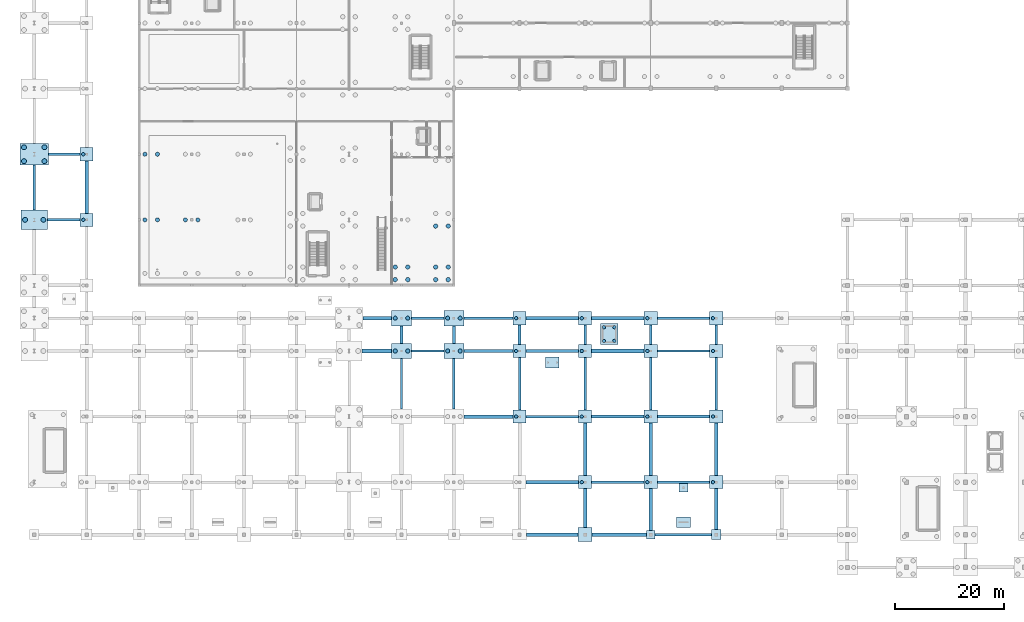
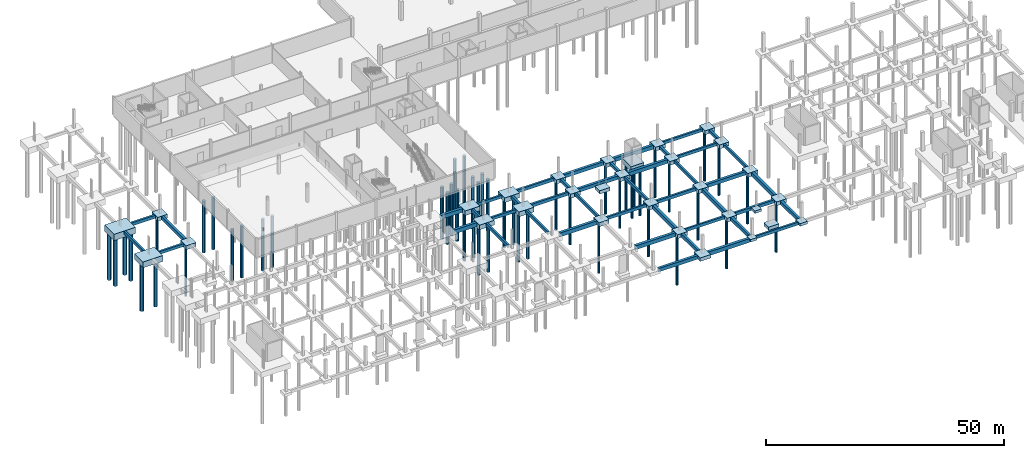
# One storey, part 3 of 31: 74 footings, 51 piles.
"""IFC4 building model written with IfcOpenShell, lengths in metres."""

from ifc_helpers import new_model, si_unit, direction, frame, origin, origin_2d, place, context, subcontext, project, spatial, rectangle, circle, extrude, material, layer, layer_set, material_profile, profile_set, type_object, element, save


model = new_model("IFC4")

# Units and contexts
model_context = context("Model", 3, precision=1e-05, world=origin(), true_north=direction((0.0, 1.0)))
body_context = subcontext(model_context, "Body", "Model", "MODEL_VIEW")
ifc_project = project(units=[si_unit("LENGTHUNIT", "METRE"), si_unit("AREAUNIT", "SQUARE_METRE"), si_unit("VOLUMEUNIT", "CUBIC_METRE"), si_unit("PLANEANGLEUNIT", "RADIAN"), si_unit("MASSUNIT", "GRAM", prefix="KILO")], contexts=[model_context])

# Site, building, storey
site_placement = place(None, origin())
site = spatial("IfcSite", under=ifc_project, at=site_placement, CompositionType="ELEMENT")
building_placement = place(site_placement, origin())
building = spatial("IfcBuilding", under=site, at=building_placement, Name="Merenkruunu Market Hall", CompositionType="ELEMENT")
storey_placement = place(building_placement, frame((0.0, 0.0, -4.800048828125)))
storey = spatial("IfcBuildingStorey", under=building, at=storey_placement, Name="B1", CompositionType="ELEMENT", Elevation=-4.800048828125)

# Footings
ifc_material = material(Name="Concrete C35/45", Category="concrete")
ifc_layer_1 = layer(ifc_material, 1.0)
ifc_layer_set_1 = layer_set([ifc_layer_1], Name="Concrete C35/45")
footing_type_1 = type_object("IfcFootingType", Name="Multi Pile Cap PC01", PredefinedType="PILE_CAP", material=ifc_layer_set_1)
for number, where, z_axis, x_axis, name in (
    (1, (9.60009765625, 63.60009765625, -1.0), (0.0, 0.0, 1.0), (1.0, 0.0, 0.0), "FTG-CAP-B-08"),
    (2, (9.60009765625, 75.60009765625, -1.0), (0.0, 0.0, 1.0), (1.0, 0.0, 0.0), "FTG-CAP-B-09"),
    (3, (88.800048828125, 27.60009765625, -1.0), (0.0, 0.0, 1.0), (1.0, 0.0, 0.0), "FTG-CAP-K-04"),
    (4, (88.800048828125, 39.60009765625, -1.0), (0.0, 0.0, 1.0), (1.0, 0.0, 0.0), "FTG-CAP-K-05"),
    (5, (88.800048828125, 45.60009765625, -1.0), (0.0, 0.0, 1.0), (1.0, 0.0, 0.0), "FTG-CAP-K-06"),
    (6, (100.800048828125, 15.60009765625, -1.0), (0.0, 0.0, 1.0), (1.0, 0.0, 0.0), "FTG-CAP-L-03"),
    (7, (100.800048828125, 27.60009765625, -1.0), (0.0, 0.0, 1.0), (1.0, 0.0, 0.0), "FTG-CAP-L-04"),
    (8, (100.800048828125, 39.60009765625, -1.0), (0.0, 0.0, 1.0), (1.0, 0.0, 0.0), "FTG-CAP-L-05"),
    (9, (100.800048828125, 45.60009765625, -1.0), (0.0, 0.0, 1.0), (1.0, 0.0, 0.0), "FTG-CAP-L-06"),
    (10, (112.800048828125, 15.60009765625, -1.0), (0.0, 0.0, 1.0), (1.0, 0.0, 0.0), "FTG-CAP-M-03"),
    (11, (112.800048828125, 27.60009765625, -1.0), (0.0, 0.0, 1.0), (1.0, 0.0, 0.0), "FTG-CAP-M-04"),
    (12, (112.800048828125, 39.60009765625, -1.0), (0.0, 0.0, 1.0), (1.0, 0.0, 0.0), "FTG-CAP-M-05"),
    (13, (112.800048828125, 45.60009765625, -1.0), (0.0, 0.0, 1.0), (1.0, 0.0, 0.0), "FTG-CAP-M-06"),
    (14, (124.800048828125, 15.60009765625, -1.0), (0.0, 0.0, 1.0), (1.0, 0.0, 0.0), "FTG-CAP-N-03"),
    (15, (124.800048828125, 27.60009765625, -1.0), (0.0, 0.0, 1.0), (1.0, 0.0, 0.0), "FTG-CAP-N-04"),
    (16, (124.800048828125, 39.60009765625, -1.0), (0.0, 0.0, 1.0), (1.0, 0.0, 0.0), "FTG-CAP-N-05"),
    (17, (124.800048828125, 45.60009765625, -1.0), (0.0, 0.0, 1.0), (1.0, 0.0, 0.0), "FTG-CAP-N-06"),
):
    element("IfcFooting", number, at=place(storey_placement, frame(where, z_axis=z_axis, x_axis=x_axis)), inside=storey, type_object=footing_type_1, Name=name, PredefinedType="PILE_CAP", context=body_context, shape_type="SweptSolid", body=[
        extrude(rectangle(XDim=2.39990234375, YDim=2.39990234375, at=origin_2d()), origin(), (0.0, 0.0, 1.0), 1.0),
    ])
ifc_layer_2 = layer(ifc_material, 1.199951171875)
ifc_layer_set_2 = layer_set([ifc_layer_2], Name="Concrete C35/45")
footing_type_2 = type_object("IfcFootingType", Name="Multi Pile Cap PC04", PredefinedType="PILE_CAP", material=ifc_layer_set_2)
for number, where, z_axis, x_axis, name in (
    (18, (67.199951171875, 39.60009765625, -1.19970703125), (0.0, 0.0, 1.0), (1.0, 0.0, 0.0), "FTG-CAP-H-05"),
    (19, (67.199951171875, 45.60009765625, -1.19970703125), (0.0, 0.0, 1.0), (1.0, 0.0, 0.0), "FTG-CAP-H-06"),
    (20, (76.800048828125, 39.60009765625, -1.19970703125), (0.0, 0.0, 1.0), (1.0, 0.0, 0.0), "FTG-CAP-J-05"),
    (21, (76.800048828125, 45.60009765625, -1.19970703125), (0.0, 0.0, 1.0), (1.0, 0.0, 0.0), "FTG-CAP-J-06"),
):
    element("IfcFooting", number, at=place(storey_placement, frame(where, z_axis=z_axis, x_axis=x_axis)), inside=storey, type_object=footing_type_2, Name=name, PredefinedType="PILE_CAP", context=body_context, shape_type="SweptSolid", body=[
        extrude(rectangle(XDim=3.60009765625, YDim=2.800048828125, at=origin_2d()), origin(), (0.0, 0.0, 1.0), 1.199951171875),
    ])
ifc_layer_3 = layer(ifc_material, 1.5)
ifc_layer_set_3 = layer_set([ifc_layer_3], Name="Concrete C35/45")
footing_type_3 = type_object("IfcFootingType", Name="Multi Pile Cap PC07", PredefinedType="PILE_CAP", material=ifc_layer_set_3)
footing_1_placement = place(storey_placement, frame((0.0, 63.60009765625, -1.5), z_axis=(0.0, 0.0, 1.0), x_axis=(1.0, 0.0, 0.0)))
element("IfcFooting", 22, at=footing_1_placement, inside=storey, type_object=footing_type_3, Name="FTG-CAP-A-08", PredefinedType="PILE_CAP", context=body_context, shape_type="SweptSolid", body=[
    extrude(rectangle(XDim=4.800048828125, YDim=3.60009765625, at=origin_2d()), origin(), (0.0, 0.0, 1.0), 1.5),
])
ifc_layer_4 = layer(ifc_material, 1.60009765625)
ifc_layer_set_4 = layer_set([ifc_layer_4], Name="Concrete C35/45")
footing_type_4 = type_object("IfcFootingType", Name="Multi Pile Cap PC08", PredefinedType="PILE_CAP", material=ifc_layer_set_4)
footing_2_placement = place(storey_placement, frame((0.0, 75.60009765625, -1.60009765625), z_axis=(0.0, 0.0, 1.0), x_axis=(1.0, 0.0, 0.0)))
element("IfcFooting", 23, at=footing_2_placement, inside=storey, type_object=footing_type_4, Name="FTG-CAP-A-09", PredefinedType="PILE_CAP", context=body_context, shape_type="SweptSolid", body=[
    extrude(rectangle(XDim=5.199951171875, YDim=4.0, at=origin_2d()), origin(), (0.0, 0.0, 1.0), 1.60009765625),
])
ifc_layer_5 = layer(ifc_material, 1.25)
ifc_layer_set_5 = layer_set([ifc_layer_5], Name="Concrete C35/45")
footing_type_5 = type_object("IfcFootingType", Name="Multi Pile Cap PC11", PredefinedType="PILE_CAP", material=ifc_layer_set_5)
footing_3_placement = place(storey_placement, frame((105.199951171875, 42.699951171875, -1.25), z_axis=(0.0, 0.0, 1.0), x_axis=(1.0, 0.0, 0.0)))
element("IfcFooting", 24, at=footing_3_placement, inside=storey, type_object=footing_type_5, Name="FTG-LIFTCAP-LP3", PredefinedType="PILE_CAP", context=body_context, shape_type="SweptSolid", body=[
    extrude(rectangle(XDim=3.199951171875, YDim=3.800048828125, at=origin_2d()), origin(), (0.0, 0.0, 1.0), 1.25),
])

# Piles
ifc_material_profile_1 = material_profile(ifc_material, circle(Radius=0.300048828125, at=origin_2d()), Name="BORED PILE 600")
ifc_profile_set_1 = profile_set([ifc_material_profile_1], Name="Concrete C35/45")
pile_type_1 = type_object("IfcPileType", Name="Rock Socketed Bored Pile P01", PredefinedType="BORED", material=ifc_profile_set_1)
for number, where, z_axis, x_axis, name in (
    (25, (104.25, 41.449951171875, -1.14990234375), (0.0, 0.0, -1.0), (1.0, 0.0, 0.0), "PILE-P01-0188"),
    (26, (106.14990234375, 41.449951171875, -1.14990234375), (0.0, 0.0, -1.0), (1.0, 0.0, 0.0), "PILE-P01-0189"),
    (27, (104.25, 43.949951171875, -1.14990234375), (0.0, 0.0, -1.0), (1.0, 0.0, 0.0), "PILE-P01-0190"),
    (28, (106.14990234375, 43.949951171875, -1.14990234375), (0.0, 0.0, -1.0), (1.0, 0.0, 0.0), "PILE-P01-0191"),
):
    element("IfcPile", number, at=place(storey_placement, frame(where, z_axis=z_axis, x_axis=x_axis)), inside=storey, type_object=pile_type_1, Name=name, PredefinedType="BORED", context=body_context, shape_type="SweptSolid", body=[
        extrude(circle(Radius=0.300048828125, at=origin_2d()), origin(), (0.0, 0.0, 1.0), 12.550048828125),
    ])
for number, where, z_axis, x_axis, name in (
    (29, (8.97998046875, 63.60009765625, -0.89990234375), (0.0, 0.0, -1.0), (1.0, 0.0, 0.0), "PILE-P01-0225"),
    (30, (8.97998046875, 75.60009765625, -0.89990234375), (0.0, 0.0, -1.0), (1.0, 0.0, 0.0), "PILE-P01-0226"),
    (31, (88.179931640625, 27.60009765625, -0.89990234375), (0.0, 0.0, -1.0), (1.0, 0.0, 0.0), "PILE-P01-0277"),
    (32, (88.179931640625, 39.60009765625, -0.89990234375), (0.0, 0.0, -1.0), (1.0, 0.0, 0.0), "PILE-P01-0278"),
    (33, (88.179931640625, 45.60009765625, -0.89990234375), (0.0, 0.0, -1.0), (1.0, 0.0, 0.0), "PILE-P01-0279"),
    (34, (100.179931640625, 15.60009765625, -0.89990234375), (0.0, 0.0, -1.0), (1.0, 0.0, 0.0), "PILE-P01-0280"),
    (35, (100.179931640625, 27.60009765625, -0.89990234375), (0.0, 0.0, -1.0), (1.0, 0.0, 0.0), "PILE-P01-0281"),
    (36, (100.179931640625, 39.60009765625, -0.89990234375), (0.0, 0.0, -1.0), (1.0, 0.0, 0.0), "PILE-P01-0282"),
    (37, (100.179931640625, 45.60009765625, -0.89990234375), (0.0, 0.0, -1.0), (1.0, 0.0, 0.0), "PILE-P01-0283"),
    (38, (112.179931640625, 15.60009765625, -0.89990234375), (0.0, 0.0, -1.0), (1.0, 0.0, 0.0), "PILE-P01-0284"),
    (39, (112.179931640625, 27.60009765625, -0.89990234375), (0.0, 0.0, -1.0), (1.0, 0.0, 0.0), "PILE-P01-0285"),
    (40, (112.179931640625, 39.60009765625, -0.89990234375), (0.0, 0.0, -1.0), (1.0, 0.0, 0.0), "PILE-P01-0286"),
    (41, (112.179931640625, 45.60009765625, -0.89990234375), (0.0, 0.0, -1.0), (1.0, 0.0, 0.0), "PILE-P01-0287"),
    (42, (124.179931640625, 15.60009765625, -0.89990234375), (0.0, 0.0, -1.0), (1.0, 0.0, 0.0), "PILE-P01-0288"),
    (43, (124.179931640625, 27.60009765625, -0.89990234375), (0.0, 0.0, -1.0), (1.0, 0.0, 0.0), "PILE-P01-0289"),
    (44, (124.179931640625, 39.60009765625, -0.89990234375), (0.0, 0.0, -1.0), (1.0, 0.0, 0.0), "PILE-P01-0290"),
    (45, (124.179931640625, 45.60009765625, -0.89990234375), (0.0, 0.0, -1.0), (1.0, 0.0, 0.0), "PILE-P01-0291"),
):
    element("IfcPile", number, at=place(storey_placement, frame(where, z_axis=z_axis, x_axis=x_axis)), inside=storey, type_object=pile_type_1, Name=name, PredefinedType="BORED", context=body_context, shape_type="SweptSolid", body=[
        extrude(circle(Radius=0.300048828125, at=origin_2d()), origin(), (0.0, 0.0, 1.0), 12.800048828125),
    ])
ifc_material_profile_2 = material_profile(ifc_material, circle(Radius=0.375, at=origin_2d()), Name="BORED PILE 750")
ifc_profile_set_2 = profile_set([ifc_material_profile_2], Name="Concrete C35/45")
pile_type_2 = type_object("IfcPileType", Name="Rock Socketed Bored Pile P02", PredefinedType="BORED", material=ifc_profile_set_2)
for number, where, z_axis, x_axis, name in (
    (46, (20.25, 63.60009765625, -0.5), (0.0, 0.0, -1.0), (1.0, 0.0, 0.0), "PILE-P02-0003"),
    (47, (22.550048828125, 63.60009765625, -0.5), (0.0, 0.0, -1.0), (1.0, 0.0, 0.0), "PILE-P02-0004"),
    (48, (20.25, 75.60009765625, -0.5), (0.0, 0.0, -1.0), (1.0, 0.0, 0.0), "PILE-P02-0005"),
    (49, (22.550048828125, 75.60009765625, -0.5), (0.0, 0.0, -1.0), (1.0, 0.0, 0.0), "PILE-P02-0006"),
    (50, (27.64990234375, 63.60009765625, -0.5), (0.0, 0.0, -1.0), (1.0, 0.0, 0.0), "PILE-P02-0017"),
    (51, (29.949951171875, 63.60009765625, -0.5), (0.0, 0.0, -1.0), (1.0, 0.0, 0.0), "PILE-P02-0018"),
):
    element("IfcPile", number, at=place(storey_placement, frame(where, z_axis=z_axis, x_axis=x_axis)), inside=storey, type_object=pile_type_2, Name=name, PredefinedType="BORED", context=body_context, shape_type="SweptSolid", body=[
        extrude(circle(Radius=0.375, at=origin_2d()), origin(), (0.0, 0.0, 1.0), 13.199951171875),
    ])
for number, where, z_axis, x_axis, name in (
    (52, (66.054931640625, 39.60009765625, -1.099853515625), (0.0, 0.0, -1.0), (1.0, 0.0, 0.0), "PILE-P02-0264"),
    (53, (68.344970703125, 39.60009765625, -1.099853515625), (0.0, 0.0, -1.0), (1.0, 0.0, 0.0), "PILE-P02-0265"),
    (54, (66.054931640625, 45.60009765625, -1.099853515625), (0.0, 0.0, -1.0), (1.0, 0.0, 0.0), "PILE-P02-0266"),
    (55, (68.344970703125, 45.60009765625, -1.099853515625), (0.0, 0.0, -1.0), (1.0, 0.0, 0.0), "PILE-P02-0267"),
    (56, (75.655029296875, 39.60009765625, -1.099853515625), (0.0, 0.0, -1.0), (1.0, 0.0, 0.0), "PILE-P02-0272"),
    (57, (77.945068359375, 39.60009765625, -1.099853515625), (0.0, 0.0, -1.0), (1.0, 0.0, 0.0), "PILE-P02-0273"),
    (58, (75.655029296875, 45.60009765625, -1.099853515625), (0.0, 0.0, -1.0), (1.0, 0.0, 0.0), "PILE-P02-0274"),
    (59, (77.945068359375, 45.60009765625, -1.099853515625), (0.0, 0.0, -1.0), (1.0, 0.0, 0.0), "PILE-P02-0275"),
):
    element("IfcPile", number, at=place(storey_placement, frame(where, z_axis=z_axis, x_axis=x_axis)), inside=storey, type_object=pile_type_2, Name=name, PredefinedType="BORED", context=body_context, shape_type="SweptSolid", body=[
        extrude(circle(Radius=0.375, at=origin_2d()), origin(), (0.0, 0.0, 1.0), 12.60009765625),
    ])
ifc_material_profile_3 = material_profile(ifc_material, circle(Radius=0.39990234375, at=origin_2d()), Name="BORED PILE 800")
ifc_profile_set_3 = profile_set([ifc_material_profile_3], Name="Concrete C35/45")
pile_type_3 = type_object("IfcPileType", Name="Rock Socketed Bored Pile P03", PredefinedType="BORED", material=ifc_profile_set_3)
for number, where, z_axis, x_axis, name in (
    (60, (66.050048828125, 52.64990234375, -0.5), (0.0, 0.0, -1.0), (1.0, 0.0, 0.0), "PILE-P03-0089"),
    (61, (68.35009765625, 52.64990234375, -0.5), (0.0, 0.0, -1.0), (1.0, 0.0, 0.0), "PILE-P03-0090"),
    (62, (66.050048828125, 54.949951171875, -0.5), (0.0, 0.0, -1.0), (1.0, 0.0, 0.0), "PILE-P03-0091"),
    (63, (68.35009765625, 54.949951171875, -0.5), (0.0, 0.0, -1.0), (1.0, 0.0, 0.0), "PILE-P03-0092"),
    (64, (73.449951171875, 52.64990234375, -0.5), (0.0, 0.0, -1.0), (1.0, 0.0, 0.0), "PILE-P03-0103"),
    (65, (75.75, 52.64990234375, -0.5), (0.0, 0.0, -1.0), (1.0, 0.0, 0.0), "PILE-P03-0104"),
    (66, (73.449951171875, 54.949951171875, -0.5), (0.0, 0.0, -1.0), (1.0, 0.0, 0.0), "PILE-P03-0105"),
    (67, (75.75, 54.949951171875, -0.5), (0.0, 0.0, -1.0), (1.0, 0.0, 0.0), "PILE-P03-0106"),
    (68, (73.449951171875, 62.449951171875, -0.5), (0.0, 0.0, -1.0), (1.0, 0.0, 0.0), "PILE-P03-0107"),
    (69, (75.75, 62.449951171875, -0.5), (0.0, 0.0, -1.0), (1.0, 0.0, 0.0), "PILE-P03-0108"),
):
    element("IfcPile", number, at=place(storey_placement, frame(where, z_axis=z_axis, x_axis=x_axis)), inside=storey, type_object=pile_type_3, Name=name, PredefinedType="BORED", context=body_context, shape_type="SweptSolid", body=[
        extrude(circle(Radius=0.39990234375, at=origin_2d()), origin(), (0.0, 0.0, 1.0), 13.199951171875),
    ])
ifc_material_profile_4 = material_profile(ifc_material, circle(Radius=0.449951171875, at=origin_2d()), Name="BORED PILE 900")
ifc_profile_set_4 = profile_set([ifc_material_profile_4], Name="Concrete C35/45")
pile_type_4 = type_object("IfcPileType", Name="Rock Socketed Bored Pile P04", PredefinedType="BORED", material=ifc_profile_set_4)
for number, where, z_axis, x_axis, name in (
    (70, (-1.669921875, 63.60009765625, -1.39990234375), (0.0, 0.0, -1.0), (1.0, 0.0, 0.0), "PILE-P04-0206"),
    (71, (1.669921875, 63.60009765625, -1.39990234375), (0.0, 0.0, -1.0), (1.0, 0.0, 0.0), "PILE-P04-0207"),
):
    element("IfcPile", number, at=place(storey_placement, frame(where, z_axis=z_axis, x_axis=x_axis)), inside=storey, type_object=pile_type_4, Name=name, PredefinedType="BORED", context=body_context, shape_type="SweptSolid", body=[
        extrude(circle(Radius=0.449951171875, at=origin_2d()), origin(), (0.0, 0.0, 1.0), 12.300048828125),
    ])
for number, where, z_axis, x_axis, name in (
    (72, (-1.8701171875, 74.330078125, -1.5), (0.0, 0.0, -1.0), (1.0, 0.0, 0.0), "PILE-P04-0208"),
    (73, (1.8701171875, 74.330078125, -1.5), (0.0, 0.0, -1.0), (1.0, 0.0, 0.0), "PILE-P04-0209"),
    (74, (-1.8701171875, 76.8701171875, -1.5), (0.0, 0.0, -1.0), (1.0, 0.0, 0.0), "PILE-P04-0210"),
    (75, (1.8701171875, 76.8701171875, -1.5), (0.0, 0.0, -1.0), (1.0, 0.0, 0.0), "PILE-P04-0211"),
):
    element("IfcPile", number, at=place(storey_placement, frame(where, z_axis=z_axis, x_axis=x_axis)), inside=storey, type_object=pile_type_4, Name=name, PredefinedType="BORED", context=body_context, shape_type="SweptSolid", body=[
        extrude(circle(Radius=0.449951171875, at=origin_2d()), origin(), (0.0, 0.0, 1.0), 12.199951171875),
    ])

# Footings
ifc_layer_6 = layer(ifc_material, 0.699951171875)
ifc_layer_set_6 = layer_set([ifc_layer_6], Name="Concrete C35/45")
footing_type_6 = type_object("IfcFootingType", Name="Spread Pad Footing PF01", PredefinedType="PAD_FOOTING", material=ifc_layer_set_6)
footing_4_placement = place(storey_placement, frame((124.800048828125, 6.0, -0.69970703125), z_axis=(0.0, 0.0, 1.0), x_axis=(1.0, 0.0, 0.0)))
element("IfcFooting", 76, at=footing_4_placement, inside=storey, type_object=footing_type_6, Name="FTG-PAD-N-02", PredefinedType="PAD_FOOTING", context=body_context, shape_type="SweptSolid", body=[
    extrude(rectangle(XDim=1.800048828125, YDim=1.800048828125, at=origin_2d()), origin(), (0.0, 0.0, 1.0), 0.699951171875),
])
ifc_layer_7 = layer(ifc_material, 0.85009765625)
ifc_layer_set_7 = layer_set([ifc_layer_7], Name="Concrete C35/45")
footing_type_7 = type_object("IfcFootingType", Name="Spread Pad Footing PF04", PredefinedType="PAD_FOOTING", material=ifc_layer_set_7)
for number, where, z_axis, x_axis, name in (
    (77, (94.800048828125, 37.5, -0.85009765625), (0.0, 0.0, 1.0), (1.0, 0.0, 0.0), "FTG-FSTPAD-4"),
    (78, (118.800048828125, 8.27001953125, -0.85009765625), (0.0, 0.0, 1.0), (1.0, 0.0, 0.0), "FTG-RMPPAD-06"),
):
    element("IfcFooting", number, at=place(storey_placement, frame(where, z_axis=z_axis, x_axis=x_axis)), inside=storey, type_object=footing_type_7, Name=name, PredefinedType="PAD_FOOTING", context=body_context, shape_type="SweptSolid", body=[
        extrude(rectangle(XDim=2.5, YDim=2.0, at=origin_2d()), origin(), (0.0, 0.0, 1.0), 0.85009765625),
    ])
ifc_layer_8 = layer(ifc_material, 0.89990234375)
ifc_layer_set_8 = layer_set([ifc_layer_8], Name="Concrete C35/45")
footing_type_8 = type_object("IfcFootingType", Name="Spread Pad Footing PF05", PredefinedType="PAD_FOOTING", material=ifc_layer_set_8)
footing_5_placement = place(storey_placement, frame((100.800048828125, 6.0, -0.89990234375), z_axis=(0.0, 0.0, 1.0), x_axis=(1.0, 0.0, 0.0)))
element("IfcFooting", 79, at=footing_5_placement, inside=storey, type_object=footing_type_8, Name="FTG-PAD-L-02", PredefinedType="PAD_FOOTING", context=body_context, shape_type="SweptSolid", body=[
    extrude(rectangle(XDim=2.60009765625, YDim=2.60009765625, at=origin_2d()), origin(), (0.0, 0.0, 1.0), 0.89990234375),
])
ifc_layer_9 = layer(ifc_material, 0.64990234375)
ifc_layer_set_9 = layer_set([ifc_layer_9], Name="Concrete C35/45")
footing_type_9 = type_object("IfcFootingType", Name="Spread Pad Footing PF06", PredefinedType="PAD_FOOTING", material=ifc_layer_set_9)
for number, where, z_axis, x_axis, name in (
    (80, (112.800048828125, 6.0, -0.64990234375), (0.0, 0.0, 1.0), (1.0, 0.0, 0.0), "FTG-PAD-M-02"),
    (81, (118.800048828125, 14.60009765625, -0.64990234375), (0.0, 0.0, 1.0), (1.0, 0.0, 0.0), "FTG-APRONPAD-03"),
):
    element("IfcFooting", number, at=place(storey_placement, frame(where, z_axis=z_axis, x_axis=x_axis)), inside=storey, type_object=footing_type_9, Name=name, PredefinedType="PAD_FOOTING", context=body_context, shape_type="SweptSolid", body=[
        extrude(rectangle(XDim=1.60009765625, YDim=1.60009765625, at=origin_2d()), origin(), (0.0, 0.0, 1.0), 0.64990234375),
    ])
ifc_layer_10 = layer(ifc_material, 0.800048828125)
ifc_layer_set_10 = layer_set([ifc_layer_10], Name="Concrete C35/45")
footing_type_10 = type_object("IfcFootingType", Name="Tie Ground Beam GB01", PredefinedType="FOOTING_BEAM", material=ifc_layer_set_10)
for number, where, z_axis, x_axis, name in (
    (82, (118.800048828125, 15.60009765625, -0.7998046875), (0.0, 0.0, 1.0), (1.0, 0.0, 0.0), "FTG-GB-EW-029"),
    (83, (106.800048828125, 27.60009765625, -0.7998046875), (0.0, 0.0, 1.0), (1.0, 0.0, 0.0), "FTG-GB-EW-041"),
):
    element("IfcFooting", number, at=place(storey_placement, frame(where, z_axis=z_axis, x_axis=x_axis)), inside=storey, type_object=footing_type_10, Name=name, PredefinedType="FOOTING_BEAM", context=body_context, shape_type="SweptSolid", body=[
        extrude(rectangle(XDim=9.60009765625, YDim=0.5, at=origin_2d()), origin(), (0.0, 0.0, 1.0), 0.800048828125),
    ])
for number, where, z_axis, x_axis, name in (
    (84, (83.10009765625, 39.60009765625, -0.7998046875), (0.0, 0.0, 1.0), (1.0, 0.0, 0.0), "FTG-GB-EW-053"),
    (85, (83.10009765625, 45.60009765625, -0.7998046875), (0.0, 0.0, 1.0), (1.0, 0.0, 0.0), "FTG-GB-EW-069"),
):
    element("IfcFooting", number, at=place(storey_placement, frame(where, z_axis=z_axis, x_axis=x_axis)), inside=storey, type_object=footing_type_10, Name=name, PredefinedType="FOOTING_BEAM", context=body_context, shape_type="SweptSolid", body=[
        extrude(rectangle(XDim=9.0, YDim=0.5, at=origin_2d()), origin(), (0.0, 0.0, 1.0), 0.800048828125),
    ])
footing_6_placement = place(storey_placement, frame((5.5, 75.60009765625, -0.7998046875), z_axis=(0.0, 0.0, 1.0), x_axis=(1.0, 0.0, 0.0)))
element("IfcFooting", 86, at=footing_6_placement, inside=storey, type_object=footing_type_10, Name="FTG-GB-EW-089", PredefinedType="FOOTING_BEAM", context=body_context, shape_type="SweptSolid", body=[
    extrude(rectangle(XDim=5.800048828125, YDim=0.5, at=origin_2d()), origin(), (0.0, 0.0, 1.0), 0.800048828125),
])
for number, where, z_axis, x_axis, name in (
    (87, (67.199951171875, 42.60009765625, -0.7998046875), (0.0, 0.0, 1.0), (0.0, 1.0, 0.0), "FTG-GB-NS-133"),
    (88, (76.800048828125, 42.60009765625, -0.7998046875), (0.0, 0.0, 1.0), (0.0, 1.0, 0.0), "FTG-GB-NS-137"),
):
    element("IfcFooting", number, at=place(storey_placement, frame(where, z_axis=z_axis, x_axis=x_axis)), inside=storey, type_object=footing_type_10, Name=name, PredefinedType="FOOTING_BEAM", context=body_context, shape_type="SweptSolid", body=[
        extrude(rectangle(XDim=3.199951171875, YDim=0.5, at=origin_2d()), origin(), (0.0, 0.0, 1.0), 0.800048828125),
    ])
for number, where, z_axis, x_axis, name in (
    (89, (88.800048828125, 42.60009765625, -0.7998046875), (0.0, 0.0, 1.0), (0.0, 1.0, 0.0), "FTG-GB-NS-141"),
    (90, (100.800048828125, 42.60009765625, -0.7998046875), (0.0, 0.0, 1.0), (0.0, 1.0, 0.0), "FTG-GB-NS-145"),
    (91, (112.800048828125, 42.60009765625, -0.7998046875), (0.0, 0.0, 1.0), (0.0, 1.0, 0.0), "FTG-GB-NS-149"),
    (92, (124.800048828125, 42.60009765625, -0.7998046875), (0.0, 0.0, 1.0), (0.0, 1.0, 0.0), "FTG-GB-NS-153"),
):
    element("IfcFooting", number, at=place(storey_placement, frame(where, z_axis=z_axis, x_axis=x_axis)), inside=storey, type_object=footing_type_10, Name=name, PredefinedType="FOOTING_BEAM", context=body_context, shape_type="SweptSolid", body=[
        extrude(rectangle(XDim=3.60009765625, YDim=0.5, at=origin_2d()), origin(), (0.0, 0.0, 1.0), 0.800048828125),
    ])
ifc_layer_11 = layer(ifc_material, 0.89990234375)
ifc_layer_set_11 = layer_set([ifc_layer_11], Name="Concrete C35/45")
footing_type_11 = type_object("IfcFootingType", Name="Tie Ground Beam GB02", PredefinedType="FOOTING_BEAM", material=ifc_layer_set_11)
footing_7_placement = place(storey_placement, frame((94.77490234375, 6.0, -0.89990234375), z_axis=(0.0, 0.0, 1.0), x_axis=(1.0, 0.0, 0.0)))
element("IfcFooting", 93, at=footing_7_placement, inside=storey, type_object=footing_type_11, Name="FTG-GB-EW-014", PredefinedType="FOOTING_BEAM", context=body_context, shape_type="SweptSolid", body=[
    extrude(rectangle(XDim=9.449951171875, YDim=0.60009765625, at=origin_2d()), origin(), (0.0, 0.0, 1.0), 0.89990234375),
])
for number, where, z_axis, x_axis, name in (
    (94, (118.800048828125, 27.60009765625, -0.89990234375), (0.0, 0.0, 1.0), (1.0, 0.0, 0.0), "FTG-GB-EW-042"),
    (95, (94.800048828125, 39.60009765625, -0.89990234375), (0.0, 0.0, 1.0), (1.0, 0.0, 0.0), "FTG-GB-EW-054"),
    (96, (94.800048828125, 45.60009765625, -0.89990234375), (0.0, 0.0, 1.0), (1.0, 0.0, 0.0), "FTG-GB-EW-070"),
    (97, (9.60009765625, 69.60009765625, -0.89990234375), (0.0, 0.0, 1.0), (0.0, 1.0, 0.0), "FTG-GB-NS-106"),
):
    element("IfcFooting", number, at=place(storey_placement, frame(where, z_axis=z_axis, x_axis=x_axis)), inside=storey, type_object=footing_type_11, Name=name, PredefinedType="FOOTING_BEAM", context=body_context, shape_type="SweptSolid", body=[
        extrude(rectangle(XDim=9.60009765625, YDim=0.60009765625, at=origin_2d()), origin(), (0.0, 0.0, 1.0), 0.89990234375),
    ])
footing_8_placement = place(storey_placement, frame((100.800048828125, 10.85009765625, -0.89990234375), z_axis=(0.0, 0.0, 1.0), x_axis=(0.0, 1.0, 0.0)))
element("IfcFooting", 98, at=footing_8_placement, inside=storey, type_object=footing_type_11, Name="FTG-GB-NS-142", PredefinedType="FOOTING_BEAM", context=body_context, shape_type="SweptSolid", body=[
    extrude(rectangle(XDim=7.10009765625, YDim=0.60009765625, at=origin_2d()), origin(), (0.0, 0.0, 1.0), 0.89990234375),
])
footing_9_placement = place(storey_placement, frame((112.800048828125, 10.60009765625, -0.89990234375), z_axis=(0.0, 0.0, 1.0), x_axis=(0.0, 1.0, 0.0)))
element("IfcFooting", 99, at=footing_9_placement, inside=storey, type_object=footing_type_11, Name="FTG-GB-NS-146", PredefinedType="FOOTING_BEAM", context=body_context, shape_type="SweptSolid", body=[
    extrude(rectangle(XDim=7.60009765625, YDim=0.60009765625, at=origin_2d()), origin(), (0.0, 0.0, 1.0), 0.89990234375),
])
footing_10_placement = place(storey_placement, frame((124.800048828125, 10.64990234375, -0.89990234375), z_axis=(0.0, 0.0, 1.0), x_axis=(0.0, 1.0, 0.0)))
element("IfcFooting", 100, at=footing_10_placement, inside=storey, type_object=footing_type_11, Name="FTG-GB-NS-150", PredefinedType="FOOTING_BEAM", context=body_context, shape_type="SweptSolid", body=[
    extrude(rectangle(XDim=7.5, YDim=0.60009765625, at=origin_2d()), origin(), (0.0, 0.0, 1.0), 0.89990234375),
])
ifc_layer_12 = layer(ifc_material, 1.0)
ifc_layer_set_12 = layer_set([ifc_layer_12], Name="Concrete C35/45")
footing_type_12 = type_object("IfcFootingType", Name="Tie Ground Beam GB03", PredefinedType="FOOTING_BEAM", material=ifc_layer_set_12)
footing_11_placement = place(storey_placement, frame((107.050048828125, 6.0, -1.0), z_axis=(0.0, 0.0, 1.0), x_axis=(1.0, 0.0, 0.0)))
element("IfcFooting", 101, at=footing_11_placement, inside=storey, type_object=footing_type_12, Name="FTG-GB-EW-015", PredefinedType="FOOTING_BEAM", context=body_context, shape_type="SweptSolid", body=[
    extrude(rectangle(XDim=9.89990234375, YDim=0.64990234375, at=origin_2d()), origin(), (0.0, 0.0, 1.0), 1.0),
])
footing_12_placement = place(storey_placement, frame((94.800048828125, 15.60009765625, -1.0), z_axis=(0.0, 0.0, 1.0), x_axis=(1.0, 0.0, 0.0)))
element("IfcFooting", 102, at=footing_12_placement, inside=storey, type_object=footing_type_12, Name="FTG-GB-EW-027", PredefinedType="FOOTING_BEAM", context=body_context, shape_type="SweptSolid", body=[
    extrude(rectangle(XDim=9.60009765625, YDim=0.64990234375, at=origin_2d()), origin(), (0.0, 0.0, 1.0), 1.0),
])
footing_13_placement = place(storey_placement, frame((83.10009765625, 27.60009765625, -1.0), z_axis=(0.0, 0.0, 1.0), x_axis=(1.0, 0.0, 0.0)))
element("IfcFooting", 103, at=footing_13_placement, inside=storey, type_object=footing_type_12, Name="FTG-GB-EW-039", PredefinedType="FOOTING_BEAM", context=body_context, shape_type="SweptSolid", body=[
    extrude(rectangle(XDim=9.0, YDim=0.64990234375, at=origin_2d()), origin(), (0.0, 0.0, 1.0), 1.0),
])
footing_14_placement = place(storey_placement, frame((62.699951171875, 39.60009765625, -1.0), z_axis=(0.0, 0.0, 1.0), x_axis=(1.0, 0.0, 0.0)))
element("IfcFooting", 104, at=footing_14_placement, inside=storey, type_object=footing_type_12, Name="FTG-GB-EW-051", PredefinedType="FOOTING_BEAM", context=body_context, shape_type="SweptSolid", body=[
    extrude(rectangle(XDim=5.39990234375, YDim=0.64990234375, at=origin_2d()), origin(), (0.0, 0.0, 1.0), 1.0),
])
footing_15_placement = place(storey_placement, frame((106.800048828125, 39.60009765625, -1.0), z_axis=(0.0, 0.0, 1.0), x_axis=(1.0, 0.0, 0.0)))
element("IfcFooting", 105, at=footing_15_placement, inside=storey, type_object=footing_type_12, Name="FTG-GB-EW-055", PredefinedType="FOOTING_BEAM", context=body_context, shape_type="SweptSolid", body=[
    extrude(rectangle(XDim=9.60009765625, YDim=0.64990234375, at=origin_2d()), origin(), (0.0, 0.0, 1.0), 1.0),
])
footing_16_placement = place(storey_placement, frame((62.800048828125, 45.60009765625, -1.0), z_axis=(0.0, 0.0, 1.0), x_axis=(1.0, 0.0, 0.0)))
element("IfcFooting", 106, at=footing_16_placement, inside=storey, type_object=footing_type_12, Name="FTG-GB-EW-067", PredefinedType="FOOTING_BEAM", context=body_context, shape_type="SweptSolid", body=[
    extrude(rectangle(XDim=5.199951171875, YDim=0.64990234375, at=origin_2d()), origin(), (0.0, 0.0, 1.0), 1.0),
])
for number, where, z_axis, x_axis, name in (
    (107, (106.800048828125, 45.60009765625, -1.0), (0.0, 0.0, 1.0), (1.0, 0.0, 0.0), "FTG-GB-EW-071"),
    (108, (100.800048828125, 21.60009765625, -1.0), (0.0, 0.0, 1.0), (0.0, 1.0, 0.0), "FTG-GB-NS-143"),
    (109, (112.800048828125, 21.60009765625, -1.0), (0.0, 0.0, 1.0), (0.0, 1.0, 0.0), "FTG-GB-NS-147"),
    (110, (124.800048828125, 21.60009765625, -1.0), (0.0, 0.0, 1.0), (0.0, 1.0, 0.0), "FTG-GB-NS-151"),
):
    element("IfcFooting", number, at=place(storey_placement, frame(where, z_axis=z_axis, x_axis=x_axis)), inside=storey, type_object=footing_type_12, Name=name, PredefinedType="FOOTING_BEAM", context=body_context, shape_type="SweptSolid", body=[
        extrude(rectangle(XDim=9.60009765625, YDim=0.64990234375, at=origin_2d()), origin(), (0.0, 0.0, 1.0), 1.0),
    ])
ifc_layer_13 = layer(ifc_material, 0.75)
ifc_layer_set_13 = layer_set([ifc_layer_13], Name="Concrete C35/45")
footing_type_13 = type_object("IfcFootingType", Name="Tie Ground Beam GB04", PredefinedType="FOOTING_BEAM", material=ifc_layer_set_13)
footing_17_placement = place(storey_placement, frame((118.75, 6.0, -0.75), z_axis=(0.0, 0.0, 1.0), x_axis=(1.0, 0.0, 0.0)))
element("IfcFooting", 111, at=footing_17_placement, inside=storey, type_object=footing_type_13, Name="FTG-GB-EW-016", PredefinedType="FOOTING_BEAM", context=body_context, shape_type="SweptSolid", body=[
    extrude(rectangle(XDim=10.300048828125, YDim=0.449951171875, at=origin_2d()), origin(), (0.0, 0.0, 1.0), 0.75),
])
for number, where, z_axis, x_axis, name in (
    (112, (106.800048828125, 15.60009765625, -0.75), (0.0, 0.0, 1.0), (1.0, 0.0, 0.0), "FTG-GB-EW-028"),
    (113, (94.800048828125, 27.60009765625, -0.75), (0.0, 0.0, 1.0), (1.0, 0.0, 0.0), "FTG-GB-EW-040"),
):
    element("IfcFooting", number, at=place(storey_placement, frame(where, z_axis=z_axis, x_axis=x_axis)), inside=storey, type_object=footing_type_13, Name=name, PredefinedType="FOOTING_BEAM", context=body_context, shape_type="SweptSolid", body=[
        extrude(rectangle(XDim=9.60009765625, YDim=0.449951171875, at=origin_2d()), origin(), (0.0, 0.0, 1.0), 0.75),
    ])
footing_18_placement = place(storey_placement, frame((72.0, 39.60009765625, -0.75), z_axis=(0.0, 0.0, 1.0), x_axis=(1.0, 0.0, 0.0)))
element("IfcFooting", 114, at=footing_18_placement, inside=storey, type_object=footing_type_13, Name="FTG-GB-EW-052", PredefinedType="FOOTING_BEAM", context=body_context, shape_type="SweptSolid", body=[
    extrude(rectangle(XDim=6.0, YDim=0.449951171875, at=origin_2d()), origin(), (0.0, 0.0, 1.0), 0.75),
])
footing_19_placement = place(storey_placement, frame((118.800048828125, 39.60009765625, -0.75), z_axis=(0.0, 0.0, 1.0), x_axis=(1.0, 0.0, 0.0)))
element("IfcFooting", 115, at=footing_19_placement, inside=storey, type_object=footing_type_13, Name="FTG-GB-EW-056", PredefinedType="FOOTING_BEAM", context=body_context, shape_type="SweptSolid", body=[
    extrude(rectangle(XDim=9.60009765625, YDim=0.449951171875, at=origin_2d()), origin(), (0.0, 0.0, 1.0), 0.75),
])
footing_20_placement = place(storey_placement, frame((72.0, 45.60009765625, -0.75), z_axis=(0.0, 0.0, 1.0), x_axis=(1.0, 0.0, 0.0)))
element("IfcFooting", 116, at=footing_20_placement, inside=storey, type_object=footing_type_13, Name="FTG-GB-EW-068", PredefinedType="FOOTING_BEAM", context=body_context, shape_type="SweptSolid", body=[
    extrude(rectangle(XDim=6.0, YDim=0.449951171875, at=origin_2d()), origin(), (0.0, 0.0, 1.0), 0.75),
])
footing_21_placement = place(storey_placement, frame((118.800048828125, 45.60009765625, -0.75), z_axis=(0.0, 0.0, 1.0), x_axis=(1.0, 0.0, 0.0)))
element("IfcFooting", 117, at=footing_21_placement, inside=storey, type_object=footing_type_13, Name="FTG-GB-EW-072", PredefinedType="FOOTING_BEAM", context=body_context, shape_type="SweptSolid", body=[
    extrude(rectangle(XDim=9.60009765625, YDim=0.449951171875, at=origin_2d()), origin(), (0.0, 0.0, 1.0), 0.75),
])
footing_22_placement = place(storey_placement, frame((5.39990234375, 63.60009765625, -0.75), z_axis=(0.0, 0.0, 1.0), x_axis=(1.0, 0.0, 0.0)))
element("IfcFooting", 118, at=footing_22_placement, inside=storey, type_object=footing_type_13, Name="FTG-GB-EW-084", PredefinedType="FOOTING_BEAM", context=body_context, shape_type="SweptSolid", body=[
    extrude(rectangle(XDim=6.0, YDim=0.449951171875, at=origin_2d()), origin(), (0.0, 0.0, 1.0), 0.75),
])
footing_23_placement = place(storey_placement, frame((0.0, 69.5, -0.75), z_axis=(0.0, 0.0, 1.0), x_axis=(0.0, 1.0, 0.0)))
element("IfcFooting", 119, at=footing_23_placement, inside=storey, type_object=footing_type_13, Name="FTG-GB-NS-096", PredefinedType="FOOTING_BEAM", context=body_context, shape_type="SweptSolid", body=[
    extrude(rectangle(XDim=8.199951171875, YDim=0.449951171875, at=origin_2d()), origin(), (0.0, 0.0, 1.0), 0.75),
])
for number, where, z_axis, x_axis, name in (
    (120, (67.199951171875, 33.60009765625, -0.75), (0.0, 0.0, 1.0), (0.0, 1.0, 0.0), "FTG-GB-NS-132"),
    (121, (76.800048828125, 33.60009765625, -0.75), (0.0, 0.0, 1.0), (0.0, 1.0, 0.0), "FTG-GB-NS-136"),
):
    element("IfcFooting", number, at=place(storey_placement, frame(where, z_axis=z_axis, x_axis=x_axis)), inside=storey, type_object=footing_type_13, Name=name, PredefinedType="FOOTING_BEAM", context=body_context, shape_type="SweptSolid", body=[
        extrude(rectangle(XDim=9.199951171875, YDim=0.449951171875, at=origin_2d()), origin(), (0.0, 0.0, 1.0), 0.75),
    ])
for number, where, z_axis, x_axis, name in (
    (122, (88.800048828125, 33.60009765625, -0.75), (0.0, 0.0, 1.0), (0.0, 1.0, 0.0), "FTG-GB-NS-140"),
    (123, (100.800048828125, 33.60009765625, -0.75), (0.0, 0.0, 1.0), (0.0, 1.0, 0.0), "FTG-GB-NS-144"),
    (124, (112.800048828125, 33.60009765625, -0.75), (0.0, 0.0, 1.0), (0.0, 1.0, 0.0), "FTG-GB-NS-148"),
    (125, (124.800048828125, 33.60009765625, -0.75), (0.0, 0.0, 1.0), (0.0, 1.0, 0.0), "FTG-GB-NS-152"),
):
    element("IfcFooting", number, at=place(storey_placement, frame(where, z_axis=z_axis, x_axis=x_axis)), inside=storey, type_object=footing_type_13, Name=name, PredefinedType="FOOTING_BEAM", context=body_context, shape_type="SweptSolid", body=[
        extrude(rectangle(XDim=9.60009765625, YDim=0.449951171875, at=origin_2d()), origin(), (0.0, 0.0, 1.0), 0.75),
    ])

save(model, "model.ifc")
